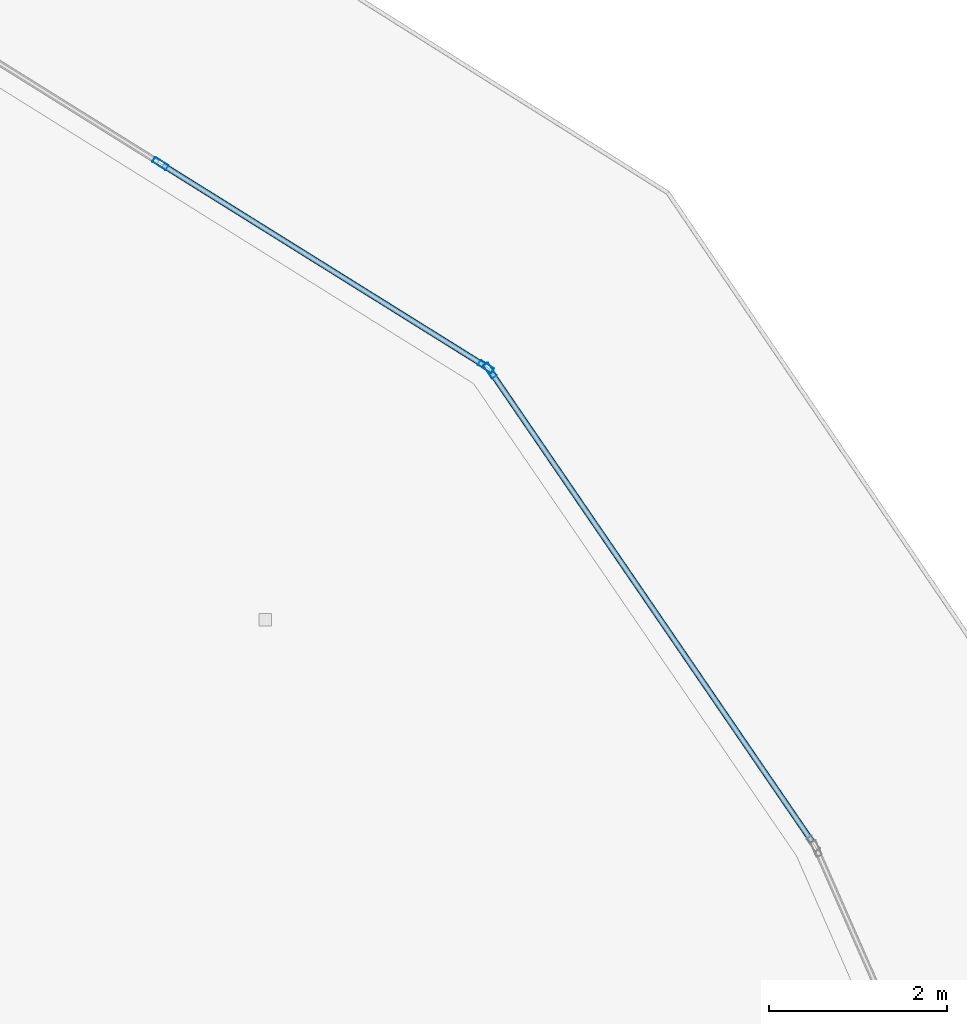
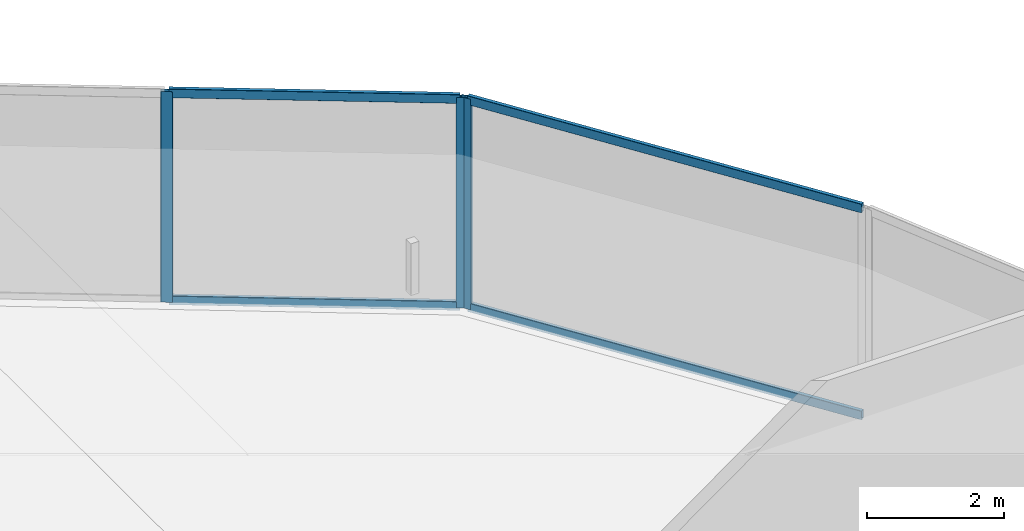
# One storey, part 22 of 36: 7 members, 2 elements without a shape of their own.
"""IFC4 building model written with IfcOpenShell, lengths in metres."""

from ifc_helpers import new_model, si_unit, direction, frame, origin, origin_2d, place, context, subcontext, project, spatial, hollow_rectangle, extrude, material, layer, layer_set, material_profile, profile_set, type_object, element, aggregate, save


model = new_model("IFC4")

# Units and contexts
model_context = context("Model", 3, precision=1e-05, world=origin(), true_north=direction((0.0, 1.0)))
body_context = subcontext(model_context, "Body", "Model", "MODEL_VIEW")
ifc_project = project(units=[si_unit("LENGTHUNIT", "METRE"), si_unit("AREAUNIT", "SQUARE_METRE"), si_unit("VOLUMEUNIT", "CUBIC_METRE"), si_unit("PLANEANGLEUNIT", "RADIAN"), si_unit("MASSUNIT", "GRAM", prefix="KILO")], contexts=[model_context])

# Site, building, storey
site_placement = place(None, origin())
site = spatial("IfcSite", under=ifc_project, at=site_placement, CompositionType="ELEMENT")
building_placement = place(site_placement, origin())
building = spatial("IfcBuilding", under=site, at=building_placement, Name="Qorvath Tower", CompositionType="ELEMENT")
storey_placement = place(building_placement, frame((0.0, 0.0, 170.550048828125)))
storey = spatial("IfcBuildingStorey", under=building, at=storey_placement, Name="L39", CompositionType="ELEMENT", Elevation=170.550048828125)

# Curtain wall, member
ifc_material_1 = material(Name="Anodised aluminium and triple low-E glass", Category="aluminium")
ifc_layer = layer(ifc_material_1, 0.179931640625)
ifc_layer_set = layer_set([ifc_layer], Name="CW-SYS-3")
curtain_wall_type = type_object("IfcCurtainWallType", Name="CW-SYS-3", PredefinedType="NOTDEFINED", material=ifc_layer_set)
curtain_wall_1_placement = place(storey_placement, origin())
curtain_wall_1 = element("IfcCurtainWall", 1, at=curtain_wall_1_placement, inside=storey, type_object=curtain_wall_type, Name="Curtain Wall CW-3 CW-T-L39-13.1", PredefinedType="NOTDEFINED")
ifc_material_2 = material(Name="Anodised aluminium 6063-T6", Category="aluminium")
ifc_material_profile_1 = material_profile(ifc_material_2, hollow_rectangle(XDim=0.06494140625, YDim=0.179931640625, WallThickness=0.00341796875, InnerFilletRadius=0.00341796875, OuterFilletRadius=0.007080078125, at=origin_2d()), Name="CWM 180x65")
ifc_profile_set_1 = profile_set([ifc_material_profile_1], Name="Anodised aluminium 6063-T6")
member_type_1 = type_object("IfcMemberType", Name="CWM-180", PredefinedType="MULLION", material=ifc_profile_set_1)
member_1_placement = place(storey_placement, frame((-4.781005859375, 22.343994140625, 0.0), z_axis=(0.0, 0.0, 1.0), x_axis=(-0.82552478625, -0.564365862971, 0.0)))
member_1 = element("IfcMember", 2, at=member_1_placement, type_object=member_type_1, Name="CW-3 mullion 2", PredefinedType="MULLION", context=body_context, shape_type="SweptSolid", body=[
    extrude(hollow_rectangle(XDim=0.06494140625, YDim=0.179931640625, WallThickness=0.00341796875, InnerFilletRadius=0.00341796875, OuterFilletRadius=0.007080078125, at=origin_2d()), origin(), (0.0, 0.0, 1.0), 3.75),
])

# Curtain wall, members
curtain_wall_2_placement = place(storey_placement, origin())
curtain_wall_2 = element("IfcCurtainWall", 3, at=curtain_wall_2_placement, inside=storey, type_object=curtain_wall_type, Name="Curtain Wall CW-3 CW-T-L39-14.1", PredefinedType="NOTDEFINED")
member_2_placement = place(storey_placement, frame((-4.826904296875, 22.387939453125, 0.0), z_axis=(0.0, 0.0, 1.0), x_axis=(-0.529328282744, -0.848417096178, 0.0)))
member_2 = element("IfcMember", 4, at=member_2_placement, type_object=member_type_1, Name="CW-3 mullion 1", PredefinedType="MULLION", context=body_context, shape_type="SweptSolid", body=[
    extrude(hollow_rectangle(XDim=0.06494140625, YDim=0.179931640625, WallThickness=0.00341796875, InnerFilletRadius=0.00341796875, OuterFilletRadius=0.007080078125, at=origin_2d()), origin(), (0.0, 0.0, 1.0), 3.75),
])
member_3_placement = place(storey_placement, frame((-8.484619140625, 24.669921875, 0.0), z_axis=(0.0, 0.0, 1.0), x_axis=(-0.529328282744, -0.848417096178, 0.0)))
member_3 = element("IfcMember", 5, at=member_3_placement, type_object=member_type_1, Name="CW-3 mullion 2", PredefinedType="MULLION", context=body_context, shape_type="SweptSolid", body=[
    extrude(hollow_rectangle(XDim=0.06494140625, YDim=0.179931640625, WallThickness=0.00341796875, InnerFilletRadius=0.00341796875, OuterFilletRadius=0.007080078125, at=origin_2d()), origin(), (0.0, 0.0, 1.0), 3.75),
])

# Member
ifc_material_3 = material(Name="Anodised aluminium 6063-T6", Category="aluminium")
ifc_material_profile_2 = material_profile(ifc_material_3, hollow_rectangle(XDim=0.06494140625, YDim=0.159912109375, WallThickness=0.00341796875, InnerFilletRadius=0.00341796875, OuterFilletRadius=0.007080078125, at=origin_2d()), Name="CWT 160x65")
ifc_profile_set_2 = profile_set([ifc_material_profile_2], Name="Anodised aluminium 6063-T6")
member_type_2 = type_object("IfcMemberType", Name="CWT-160", PredefinedType="USERDEFINED", material=ifc_profile_set_2)
member_4_placement = place(storey_placement, frame((-1.1650390625, 17.054931640625, 0.032470703125), z_axis=(-0.564384562589, 0.825512002039, 0.0), x_axis=(-0.825512002039, -0.564384562589, 0.0)))
member_4 = element("IfcMember", 6, at=member_4_placement, type_object=member_type_2, Name="CW-3 transom 1.1", ObjectType="TRANSOM", PredefinedType="USERDEFINED", context=body_context, shape_type="SweptSolid", body=[
    extrude(hollow_rectangle(XDim=0.06494140625, YDim=0.159912109375, WallThickness=0.00341796875, InnerFilletRadius=0.00341796875, OuterFilletRadius=0.007080078125, at=origin_2d()), origin(), (0.0, 0.0, 1.0), 6.37451171875),
])

member_5_placement = place(storey_placement, frame((-1.1650390625, 17.054931640625, 3.717529296875), z_axis=(-0.564384562589, 0.825512002039, 0.0), x_axis=(-0.825512002039, -0.564384562589, 0.0)))
member_5 = element("IfcMember", 7, at=member_5_placement, type_object=member_type_2, Name="CW-3 transom 1.2", ObjectType="TRANSOM", PredefinedType="USERDEFINED", context=body_context, shape_type="SweptSolid", body=[
    extrude(hollow_rectangle(XDim=0.06494140625, YDim=0.159912109375, WallThickness=0.00341796875, InnerFilletRadius=0.00341796875, OuterFilletRadius=0.007080078125, at=origin_2d()), origin(), (0.0, 0.0, 1.0), 6.37451171875),
])

aggregate(curtain_wall_1, [member_1, member_4, member_5])

member_6_placement = place(storey_placement, frame((-4.8544921875, 22.4052734375, 0.032470703125), z_axis=(-0.848424411171, 0.529316557959, 0.0), x_axis=(-0.529316557959, -0.848424411171, 0.0)))
member_6 = element("IfcMember", 8, at=member_6_placement, type_object=member_type_2, Name="CW-3 transom 1.1", ObjectType="TRANSOM", PredefinedType="USERDEFINED", context=body_context, shape_type="SweptSolid", body=[
    extrude(hollow_rectangle(XDim=0.06494140625, YDim=0.159912109375, WallThickness=0.00341796875, InnerFilletRadius=0.00341796875, OuterFilletRadius=0.007080078125, at=origin_2d()), origin(), (0.0, 0.0, 1.0), 4.24609375),
])

member_7_placement = place(storey_placement, frame((-4.8544921875, 22.4052734375, 3.717529296875), z_axis=(-0.848424411171, 0.529316557959, 0.0), x_axis=(-0.529316557959, -0.848424411171, 0.0)))
member_7 = element("IfcMember", 9, at=member_7_placement, type_object=member_type_2, Name="CW-3 transom 1.2", ObjectType="TRANSOM", PredefinedType="USERDEFINED", context=body_context, shape_type="SweptSolid", body=[
    extrude(hollow_rectangle(XDim=0.06494140625, YDim=0.159912109375, WallThickness=0.00341796875, InnerFilletRadius=0.00341796875, OuterFilletRadius=0.007080078125, at=origin_2d()), origin(), (0.0, 0.0, 1.0), 4.24609375),
])

aggregate(curtain_wall_2, [member_2, member_3, member_6, member_7])

save(model, "model.ifc")
